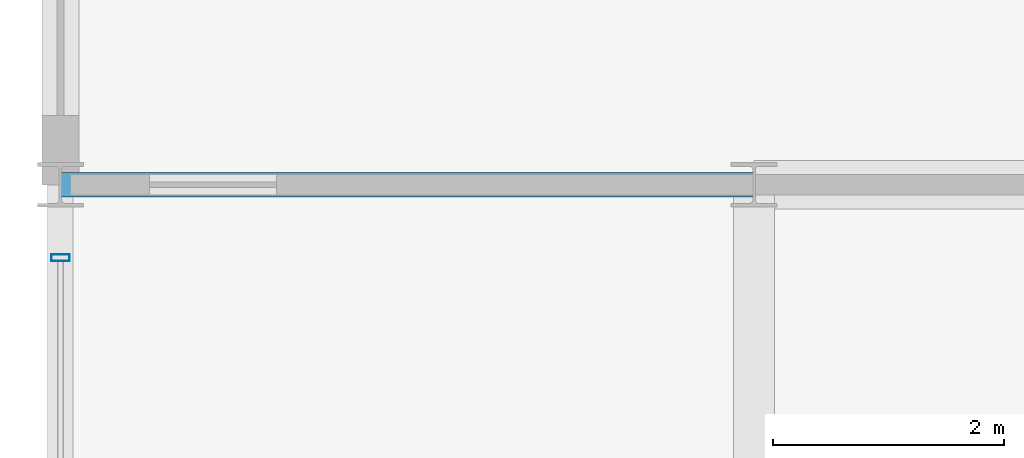
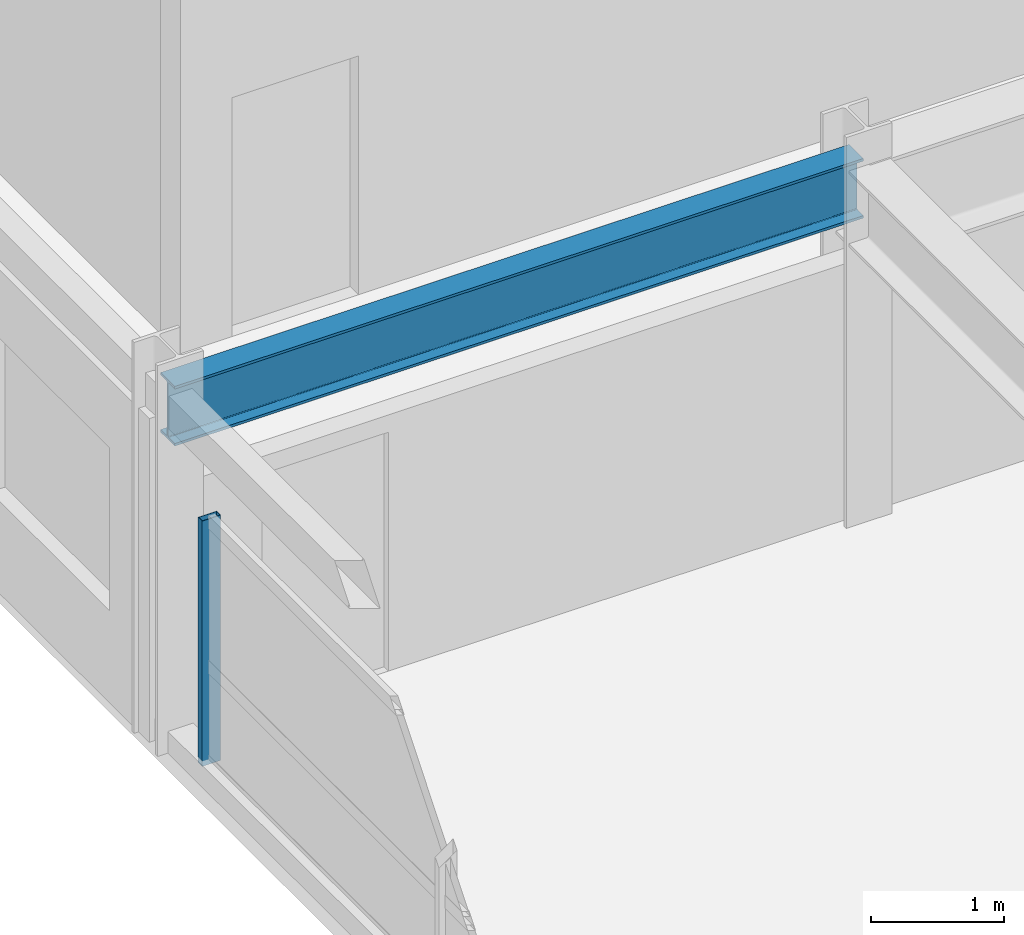
# One storey, part 4 of 22: 1 beam, 1 member, 1 element without a shape of its own.
"""IFC4 building model written with IfcOpenShell, lengths in metres."""

from ifc_helpers import new_model, si_unit, direction, frame, origin, origin_2d, place, context, subcontext, project, spatial, hollow_rectangle, i_section, extrude, material, material_profile, profile_set, type_object, element, aggregate, save


model = new_model("IFC4")

# Units and contexts
model_context = context("Model", 3, precision=1e-05, world=origin(), true_north=direction((0.0, 1.0)))
body_context = subcontext(model_context, "Body", "Model", "MODEL_VIEW")
ifc_project = project(units=[si_unit("LENGTHUNIT", "METRE"), si_unit("AREAUNIT", "SQUARE_METRE"), si_unit("VOLUMEUNIT", "CUBIC_METRE"), si_unit("PLANEANGLEUNIT", "RADIAN"), si_unit("MASSUNIT", "GRAM", prefix="KILO")], contexts=[model_context])

# Site, building, storey
site_placement = place(None, origin())
site = spatial("IfcSite", under=ifc_project, at=site_placement, CompositionType="ELEMENT")
building_placement = place(site_placement, origin())
building = spatial("IfcBuilding", under=site, at=building_placement, Name="Kaldorvane Square Convention Centre", CompositionType="ELEMENT")
storey_placement = place(building_placement, frame((0.0, 0.0, 63.600006103515625)))
storey = spatial("IfcBuildingStorey", under=building, at=storey_placement, Name="L15", CompositionType="ELEMENT", Elevation=63.600006103515625)

# Beam
ifc_material_1 = material(Name="Steel ASTM A992 Gr. 50", Category="steel")
ifc_material_profile_1 = material_profile(ifc_material_1, i_section(OverallWidth=0.213897705078125, OverallDepth=0.549102783203125, WebThickness=0.0146942138671875, FlangeThickness=0.0236053466796875, FilletRadius=0.0126953125, at=origin_2d()), Name="W21X93")
ifc_profile_set_1 = profile_set([ifc_material_profile_1], Name="Steel ASTM A992 Gr. 50")
beam_type = type_object("IfcBeamType", Name="BM-GR-W21X93", PredefinedType="BEAM", material=ifc_profile_set_1)
beam_placement = place(storey_placement, frame((36.0, 96.0, 3.0113983154296875), z_axis=(1.0, 0.0, 0.0), x_axis=(0.0, 1.0, 0.0)))
element("IfcBeam", 1, at=beam_placement, inside=storey, type_object=beam_type, Name="Primary Girder (L15)", PredefinedType="BEAM", context=body_context, shape_type="SweptSolid", body=[
    extrude(i_section(OverallWidth=0.213897705078125, OverallDepth=0.549102783203125, WebThickness=0.0146942138671875, FlangeThickness=0.0236053466796875, FilletRadius=0.0126953125, at=origin_2d()), origin(), (0.0, 0.0, 1.0), 6.0),
])

# Curtain wall, member
ifc_material_2 = material(Name="Anodized Aluminum and Low-E Insulated Glazing", Category="aluminium")
curtain_wall_type = type_object("IfcCurtainWallType", Name="CW-UNI-HTL-B", PredefinedType="USERDEFINED", material=ifc_material_2)
curtain_wall_placement = place(storey_placement, origin())
curtain_wall = element("IfcCurtainWall", 2, at=curtain_wall_placement, inside=storey, type_object=curtain_wall_type, Name="Curtain Wall CW-11 (L15)", ObjectType="UNITISED GLAZING", PredefinedType="USERDEFINED")
ifc_material_profile_2 = material_profile(ifc_material_2, hollow_rectangle(XDim=0.05999755859375, YDim=0.160003662109375, WallThickness=0.003204345703125, at=origin_2d()), Name="CWM-160X60")
ifc_profile_set_2 = profile_set([ifc_material_profile_2], Name="Anodized Aluminum and Low-E Insulated Glazing")
member_type = type_object("IfcMemberType", Name="CW-MUL-160", PredefinedType="MULLION", material=ifc_profile_set_2)
member_placement = place(storey_placement, frame((36.0, 95.3699951171875, 0.149993896484375), z_axis=(0.0, 0.0, 1.0), x_axis=(0.0, -1.0, 0.0)))
member = element("IfcMember", 3, at=member_placement, type_object=member_type, Name="CW-11 mullion 1", PredefinedType="MULLION", context=body_context, shape_type="SweptSolid", body=[
    extrude(hollow_rectangle(XDim=0.05999755859375, YDim=0.160003662109375, WallThickness=0.003204345703125, at=origin_2d()), origin(), (0.0, 0.0, 1.0), 2.2599945068359375),
])
aggregate(curtain_wall, [member])

save(model, "model.ifc")
